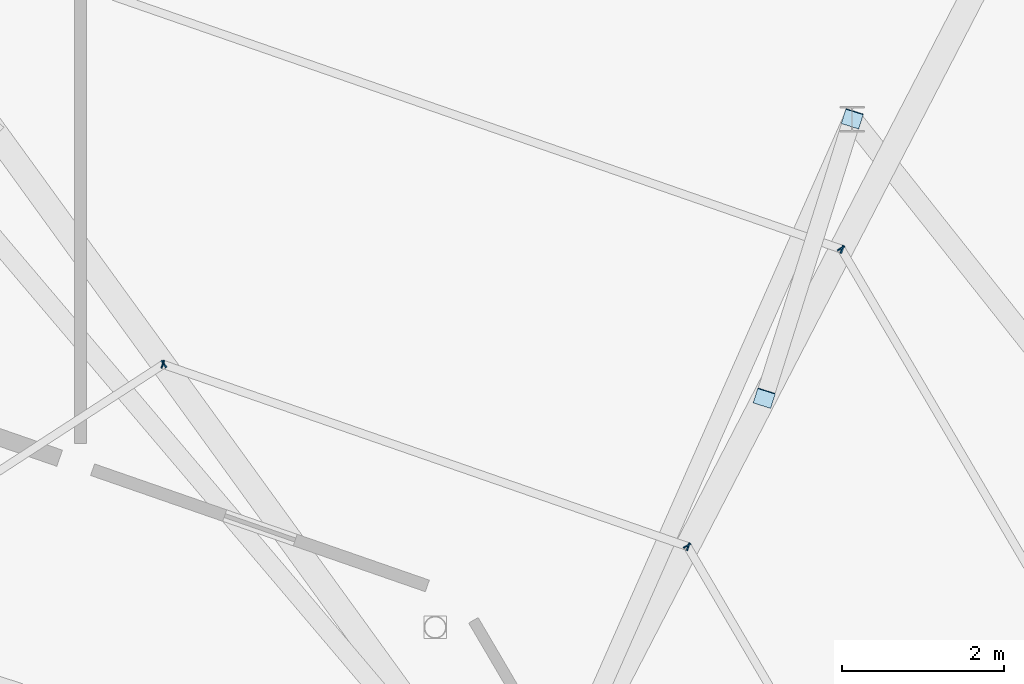
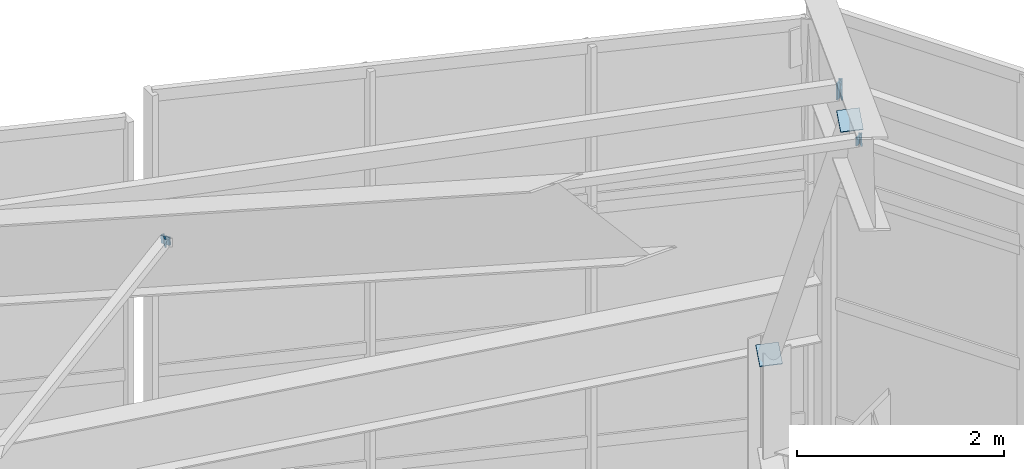
# One storey, part 39 of 50: 8 plates.
"""IFC4 building model written with IfcOpenShell, lengths in metres."""

from ifc_helpers import new_model, si_unit, direction, frame, origin, origin_2d, place, context, subcontext, project, spatial, rectangle, extrude, material, layer, layer_set, type_object, element, save


model = new_model("IFC4")

# Units and contexts
model_context = context("Model", 3, precision=1e-05, world=origin(), true_north=direction((0.0, 1.0)))
body_context = subcontext(model_context, "Body", "Model", "MODEL_VIEW")
ifc_project = project(units=[si_unit("LENGTHUNIT", "METRE"), si_unit("AREAUNIT", "SQUARE_METRE"), si_unit("VOLUMEUNIT", "CUBIC_METRE"), si_unit("PLANEANGLEUNIT", "RADIAN"), si_unit("MASSUNIT", "GRAM", prefix="KILO")], contexts=[model_context])

# Site, building, storey
site_placement = place(None, origin())
site = spatial("IfcSite", under=ifc_project, at=site_placement, CompositionType="ELEMENT")
building_placement = place(site_placement, origin())
building = spatial("IfcBuilding", under=site, at=building_placement, Name="Sarnbrook Museum", CompositionType="ELEMENT")
storey_placement = place(building_placement, frame((0.0, 0.0, 28.10009765625)))
storey = spatial("IfcBuildingStorey", under=building, at=storey_placement, Name="L05", CompositionType="ELEMENT", Elevation=28.10009765625)

# Plates
ifc_material = material(Name="Structural Steel Grade 350L0 (AS/NZS 3678, fy = 340 MPa for 20 < t <= 40 mm)", Category="steel")
ifc_layer_1 = layer(ifc_material, 0.01611328125)
ifc_layer_set_1 = layer_set([ifc_layer_1], Name="Structural Steel Grade 350L0 (AS/NZS 3678, fy = 340 MPa for 20 < t <= 40 mm)")
plate_type_1 = type_object("IfcPlateType", Name="EndCapPlate_CAP100", PredefinedType="USERDEFINED", material=ifc_layer_set_1)
for number, where, z_axis, x_axis, name in (
    (1, (151.51416015625, 97.392578125, 10.5859375), (-0.505933110009, 0.862283457396, 0.022336680545), (-0.8624986463, -0.506059369176, 0.0), "Hollow End Cap Plate CRPR:4:2-2"),
    (2, (151.529296875, 97.38720703125, 10.58642578125), (-0.943829957435, 0.327720562227, -0.042240318923), (-0.328013320863, -0.944673097604, 0.0), "Hollow End Cap Plate CRPR:5:2-1"),
    (3, (145.056640625, 99.634521484375, 10.296875), (-0.943829957435, 0.327720562227, -0.042240318923), (-0.328013320863, -0.944673097604, 0.0), "Hollow End Cap Plate CRPR:5:2-2"),
    (4, (145.070068359375, 99.643310546875, 10.298095703125), (-0.836557083997, -0.54277351954, -0.074626749231), (0.544291255903, -0.83889631585, 0.0), "Hollow End Cap Plate CRPR:6:2-1"),
):
    element("IfcPlate", number, at=place(storey_placement, frame(where, z_axis=z_axis, x_axis=x_axis)), inside=storey, type_object=plate_type_1, Name=name, ObjectType="END CAP PLATE", PredefinedType="USERDEFINED", context=body_context, shape_type="SweptSolid", body=[
        extrude(rectangle(XDim=0.10009765625, YDim=0.10009765625, at=origin_2d()), origin(), (0.0, 0.0, 1.0), 0.01611328125),
    ])
ifc_layer_2 = layer(ifc_material, 0.01611328125)
ifc_layer_set_2 = layer_set([ifc_layer_2], Name="Structural Steel Grade 350L0 (AS/NZS 3678, fy = 340 MPa for 20 < t <= 40 mm)")
plate_type_2 = type_object("IfcPlateType", Name="EndCapPlate_CAP200x100", PredefinedType="USERDEFINED", material=ifc_layer_set_2)
for number, where, z_axis, x_axis, name in (
    (5, (153.409912109375, 101.055908203125, 8.2939453125), (-0.50593491444, 0.862282401163, 0.022336584212), (-0.862497587947, -0.506061172969, 0.0), "Hollow End Cap Plate CRPR:4:1-2"),
    (6, (153.4248046875, 101.050537109375, 8.29443359375), (-0.943831214456, 0.327716870936, -0.042240870297), (-0.328009633927, -0.944674377789, 0.0), "Hollow End Cap Plate CRPR:5:1-1"),
):
    element("IfcPlate", number, at=place(storey_placement, frame(where, z_axis=z_axis, x_axis=x_axis)), inside=storey, type_object=plate_type_2, Name=name, ObjectType="END CAP PLATE", PredefinedType="USERDEFINED", context=body_context, shape_type="SweptSolid", body=[
        extrude(rectangle(XDim=0.10009765625, YDim=0.199951171875, at=origin_2d()), origin(), (0.0, 0.0, 1.0), 0.01611328125),
    ])
ifc_layer_3 = layer(ifc_material, 0.01611328125)
ifc_layer_set_3 = layer_set([ifc_layer_3], Name="Structural Steel Grade 350L0 (AS/NZS 3678, fy = 340 MPa for 20 < t <= 40 mm)")
plate_type_3 = type_object("IfcPlateType", Name="EndCapPlate_CAP219", PredefinedType="USERDEFINED", material=ifc_layer_set_3)
for number, where, z_axis, x_axis, name in (
    (7, (153.546630859375, 102.665771484375, 4.13671875), (-0.170614162675, -0.54141371765, 0.823263016195), (0.953763886771, -0.300556896928, 0.0), "Hollow End Cap Plate CRTR:WEB:5-1"),
    (8, (152.4619140625, 99.22412109375, 9.369873046875), (-0.170614162675, -0.54141371765, 0.823263016195), (0.953763886771, -0.300556896928, 0.0), "Hollow End Cap Plate CRTR:WEB:5-2"),
):
    element("IfcPlate", number, at=place(storey_placement, frame(where, z_axis=z_axis, x_axis=x_axis)), inside=storey, type_object=plate_type_3, Name=name, ObjectType="END CAP PLATE", PredefinedType="USERDEFINED", context=body_context, shape_type="SweptSolid", body=[
        extrude(rectangle(XDim=0.22509765625, YDim=0.22509765625, at=origin_2d()), origin(), (0.0, 0.0, 1.0), 0.01611328125),
    ])

save(model, "model.ifc")
